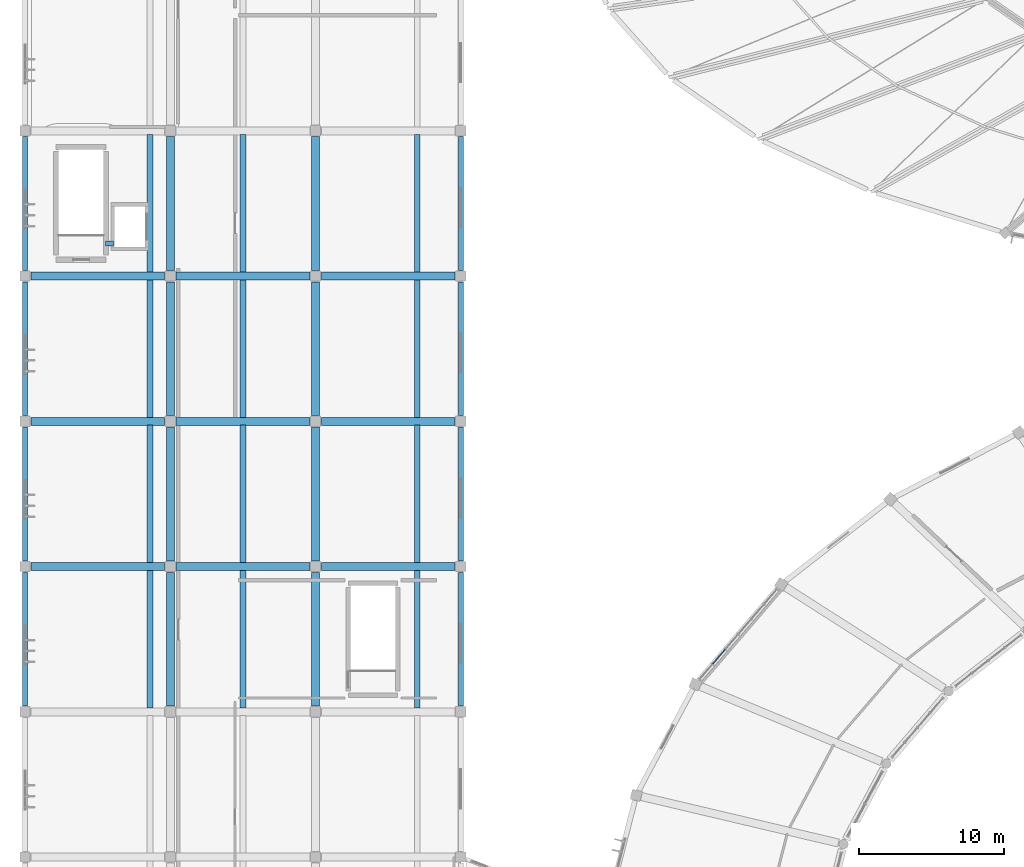
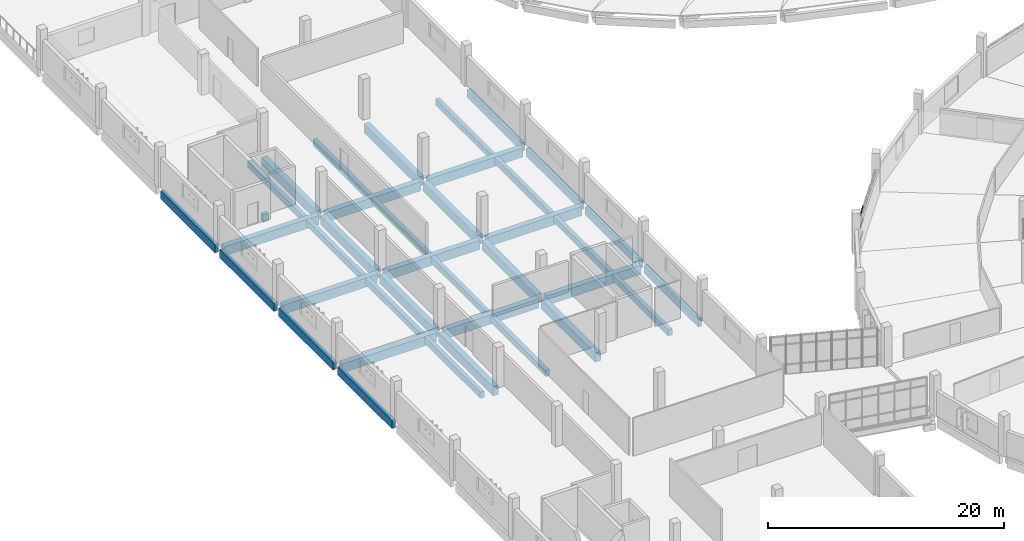
# One storey, part 22 of 142: 38 beams, 3 members, 1 element without a shape of its own.
"""IFC4 building model written with IfcOpenShell, lengths in metres."""

from ifc_helpers import new_model, si_unit, direction, frame, origin, origin_2d, place, context, subcontext, project, spatial, rectangle, extrude, material, layer, layer_set, material_profile, profile_set, type_object, element, aggregate, save


model = new_model("IFC4")

# Units and contexts
model_context = context("Model", 3, precision=1e-05, world=origin(), true_north=direction((0.0, 1.0)))
body_context = subcontext(model_context, "Body", "Model", "MODEL_VIEW")
ifc_project = project(units=[si_unit("LENGTHUNIT", "METRE"), si_unit("AREAUNIT", "SQUARE_METRE"), si_unit("VOLUMEUNIT", "CUBIC_METRE"), si_unit("PLANEANGLEUNIT", "RADIAN"), si_unit("MASSUNIT", "GRAM", prefix="KILO")], contexts=[model_context])

# Site, building, storey
site_placement = place(None, origin())
site = spatial("IfcSite", under=ifc_project, at=site_placement, CompositionType="ELEMENT")
building_placement = place(site_placement, origin())
building = spatial("IfcBuilding", under=site, at=building_placement, Name="Corvandel Quay Wholesale Market", CompositionType="ELEMENT")
storey_placement = place(building_placement, frame((0.0, 0.0, 10.800048828125)))
storey = spatial("IfcBuildingStorey", under=building, at=storey_placement, Name="L02", CompositionType="ELEMENT", Elevation=10.800048828125)

# Beams
ifc_material_1 = material(Name="Precast concrete C45/55", Category="concrete")
ifc_material_profile_1 = material_profile(ifc_material_1, rectangle(XDim=0.550048828125, YDim=0.949951171875, at=origin_2d()), Name="PC-GIR-550x950")
ifc_profile_set_1 = profile_set([ifc_material_profile_1], Name="Precast concrete C45/55")
beam_type_1 = type_object("IfcBeamType", Name="Cold Store Floor Girder G02 550x950", PredefinedType="USERDEFINED", material=ifc_profile_set_1)
for number, where, z_axis, x_axis, name in (
    (1, (20.39501953125, 70.0, -0.795166015625), (1.0, 0.0, 0.0), (0.0, 1.0, 0.0), "Beam BM-1167"),
    (2, (30.39501953125, 70.0, -0.795166015625), (1.0, 0.0, 0.0), (0.0, 1.0, 0.0), "Beam BM-1168"),
    (3, (40.39501953125, 70.0, -0.795166015625), (1.0, 0.0, 0.0), (0.0, 1.0, 0.0), "Beam BM-1169"),
    (4, (20.39501953125, 80.0, -0.795166015625), (1.0, 0.0, 0.0), (0.0, 1.0, 0.0), "Beam BM-1170"),
    (5, (30.39501953125, 80.0, -0.795166015625), (1.0, 0.0, 0.0), (0.0, 1.0, 0.0), "Beam BM-1171"),
    (6, (40.39501953125, 80.0, -0.795166015625), (1.0, 0.0, 0.0), (0.0, 1.0, 0.0), "Beam BM-1172"),
    (7, (20.39501953125, 90.0, -0.795166015625), (1.0, 0.0, 0.0), (0.0, 1.0, 0.0), "Beam BM-1173"),
    (8, (30.39501953125, 90.0, -0.795166015625), (1.0, 0.0, 0.0), (0.0, 1.0, 0.0), "Beam BM-1174"),
    (9, (40.39501953125, 90.0, -0.795166015625), (1.0, 0.0, 0.0), (0.0, 1.0, 0.0), "Beam BM-1175"),
    (10, (30.0, 60.39501953125, -0.795166015625), (0.0, 1.0, 0.0), (-1.0, 0.0, 0.0), "Beam BM-1209"),
    (11, (30.0, 70.39501953125, -0.795166015625), (0.0, 1.0, 0.0), (-1.0, 0.0, 0.0), "Beam BM-1210"),
    (12, (30.0, 80.39501953125, -0.795166015625), (0.0, 1.0, 0.0), (-1.0, 0.0, 0.0), "Beam BM-1211"),
    (13, (30.0, 90.39501953125, -0.795166015625), (0.0, 1.0, 0.0), (-1.0, 0.0, 0.0), "Beam BM-1212"),
    (14, (40.0, 60.39501953125, -0.795166015625), (0.0, 1.0, 0.0), (-1.0, 0.0, 0.0), "Beam BM-1222"),
    (15, (40.0, 70.39501953125, -0.795166015625), (0.0, 1.0, 0.0), (-1.0, 0.0, 0.0), "Beam BM-1223"),
    (16, (40.0, 80.39501953125, -0.795166015625), (0.0, 1.0, 0.0), (-1.0, 0.0, 0.0), "Beam BM-1224"),
    (17, (40.0, 90.39501953125, -0.795166015625), (0.0, 1.0, 0.0), (-1.0, 0.0, 0.0), "Beam BM-1225"),
):
    element("IfcBeam", number, at=place(storey_placement, frame(where, z_axis=z_axis, x_axis=x_axis)), inside=storey, type_object=beam_type_1, Name=name, ObjectType="GIRDER", PredefinedType="USERDEFINED", context=body_context, shape_type="SweptSolid", body=[
        extrude(rectangle(XDim=0.550048828125, YDim=0.949951171875, at=origin_2d()), origin(), (0.0, 0.0, 1.0), 9.2099609375),
    ])
ifc_material_profile_2 = material_profile(ifc_material_1, rectangle(XDim=0.39990234375, YDim=0.64990234375, at=origin_2d()), Name="PC-BM-400x650")
ifc_profile_set_2 = profile_set([ifc_material_profile_2], Name="Precast concrete C45/55")
beam_type_2 = type_object("IfcBeamType", Name="Cold Store Secondary Beam B01 400x650", PredefinedType="BEAM", material=ifc_profile_set_2)
for number, where, z_axis, x_axis, name in (
    (18, (28.60009765625, 60.264892578125, -0.64501953125), (0.0, 1.0, 0.0), (-1.0, 0.0, 0.0), "Beam BM-1248"),
    (19, (28.60009765625, 70.264892578125, -0.64501953125), (0.0, 1.0, 0.0), (-1.0, 0.0, 0.0), "Beam BM-1249"),
    (20, (28.60009765625, 80.264892578125, -0.64501953125), (0.0, 1.0, 0.0), (-1.0, 0.0, 0.0), "Beam BM-1250"),
    (21, (28.60009765625, 90.264892578125, -0.64501953125), (0.0, 1.0, 0.0), (-1.0, 0.0, 0.0), "Beam BM-1251"),
    (22, (35.0, 60.264892578125, -0.64501953125), (0.0, 1.0, 0.0), (-1.0, 0.0, 0.0), "Beam BM-1261"),
    (23, (35.0, 70.264892578125, -0.64501953125), (0.0, 1.0, 0.0), (-1.0, 0.0, 0.0), "Beam BM-1262"),
    (24, (35.0, 80.264892578125, -0.64501953125), (0.0, 1.0, 0.0), (-1.0, 0.0, 0.0), "Beam BM-1263"),
    (25, (35.0, 90.264892578125, -0.64501953125), (0.0, 1.0, 0.0), (-1.0, 0.0, 0.0), "Beam BM-1264"),
    (26, (47.0, 60.264892578125, -0.64501953125), (0.0, 1.0, 0.0), (-1.0, 0.0, 0.0), "Beam BM-1274"),
    (27, (47.0, 70.264892578125, -0.64501953125), (0.0, 1.0, 0.0), (-1.0, 0.0, 0.0), "Beam BM-1275"),
    (28, (47.0, 80.264892578125, -0.64501953125), (0.0, 1.0, 0.0), (-1.0, 0.0, 0.0), "Beam BM-1276"),
    (29, (47.0, 90.264892578125, -0.64501953125), (0.0, 1.0, 0.0), (-1.0, 0.0, 0.0), "Beam BM-1277"),
):
    element("IfcBeam", number, at=place(storey_placement, frame(where, z_axis=z_axis, x_axis=x_axis)), inside=storey, type_object=beam_type_2, Name=name, PredefinedType="BEAM", context=body_context, shape_type="SweptSolid", body=[
        extrude(rectangle(XDim=0.39990234375, YDim=0.64990234375, at=origin_2d()), origin(), (0.0, 0.0, 1.0), 9.47021484375),
    ])
ifc_material_2 = material(Name="Concrete C40/50", Category="concrete")
ifc_material_profile_3 = material_profile(ifc_material_2, rectangle(XDim=0.35009765625, YDim=0.800048828125, at=origin_2d()), Name="RC-CPL-350x800")
ifc_profile_set_3 = profile_set([ifc_material_profile_3], Name="Concrete C40/50")
beam_type_3 = type_object("IfcBeamType", Name="Core Shear Wall Coupling Beam CP01 350x800", PredefinedType="BEAM", material=ifc_profile_set_3)
beam_placement = place(storey_placement, frame((25.52490234375, 92.25, -0.650146484375), z_axis=(1.0, 0.0, 0.0), x_axis=(0.0, 1.0, 0.0)))
element("IfcBeam", 30, at=beam_placement, inside=storey, type_object=beam_type_3, Name="Core Coupling Beam K5-L02", PredefinedType="BEAM", context=body_context, shape_type="SweptSolid", body=[
    extrude(rectangle(XDim=0.35009765625, YDim=0.800048828125, at=origin_2d()), origin(), (0.0, 0.0, 1.0), 0.550048828125),
])

# Curtain wall, members
ifc_material_3 = material(Name="Bronze anodised aluminium and low-E insulated glazing", Category="aluminium")
ifc_layer = layer(ifc_material_3, 0.162109375)
ifc_layer_set = layer_set([ifc_layer], Name="Bronze anodised aluminium and low-E insulated glazing")
curtain_wall_type = type_object("IfcCurtainWallType", Name="Stick Curtain Wall System CW21 H4890", PredefinedType="NOTDEFINED", material=ifc_layer_set)
curtain_wall_placement = place(storey_placement, origin())
curtain_wall = element("IfcCurtainWall", 31, at=curtain_wall_placement, inside=storey, type_object=curtain_wall_type, Name="Curtain Wall CW-0037", PredefinedType="NOTDEFINED")
ifc_material_4 = material(Name="Anodised aluminium 6063-T6", Category="aluminium")
ifc_material_profile_4 = material_profile(ifc_material_4, rectangle(XDim=0.06005859375, YDim=0.110107421875, at=origin_2d()), Name="ALU-TRN-60x110")
ifc_profile_set_4 = profile_set([ifc_material_profile_4], Name="Anodised aluminium 6063-T6")
member_type = type_object("IfcMemberType", Name="Curtain Wall Transom TR02 60x110", PredefinedType="USERDEFINED", material=ifc_profile_set_4)
member_1_placement = place(storey_placement, frame((68.192138671875, 64.276123046875, 0.0), z_axis=(-0.651597471756, -0.758564917987, 0.0), x_axis=(0.758564917987, -0.651597471756, 0.0)))
member_1 = element("IfcMember", 32, at=member_1_placement, type_object=member_type, Name="Transom CW-0037-T04-0", ObjectType="TRANSOM", PredefinedType="USERDEFINED", context=body_context, shape_type="SweptSolid", body=[
    extrude(rectangle(XDim=0.06005859375, YDim=0.110107421875, at=origin_2d()), origin(), (0.0, 0.0, 1.0), 1.29638671875),
])
member_2_placement = place(storey_placement, frame((68.192138671875, 64.276123046875, 1.27490234375), z_axis=(-0.651597471756, -0.758564917987, 0.0), x_axis=(0.758564917987, -0.651597471756, 0.0)))
member_2 = element("IfcMember", 33, at=member_2_placement, type_object=member_type, Name="Transom CW-0037-T04-1", ObjectType="TRANSOM", PredefinedType="USERDEFINED", context=body_context, shape_type="SweptSolid", body=[
    extrude(rectangle(XDim=0.06005859375, YDim=0.110107421875, at=origin_2d()), origin(), (0.0, 0.0, 1.0), 1.29638671875),
])
member_3_placement = place(storey_placement, frame((68.192138671875, 64.276123046875, 2.550048828125), z_axis=(-0.651597471756, -0.758564917987, 0.0), x_axis=(0.758564917987, -0.651597471756, 0.0)))
member_3 = element("IfcMember", 34, at=member_3_placement, type_object=member_type, Name="Transom CW-0037-T04-2", ObjectType="TRANSOM", PredefinedType="USERDEFINED", context=body_context, shape_type="SweptSolid", body=[
    extrude(rectangle(XDim=0.06005859375, YDim=0.110107421875, at=origin_2d()), origin(), (0.0, 0.0, 1.0), 1.29638671875),
])
aggregate(curtain_wall, [member_1, member_2, member_3])

# Beams
ifc_material_profile_5 = material_profile(ifc_material_1, rectangle(XDim=0.35009765625, YDim=0.85009765625, at=origin_2d()), Name="PC-SPN-350x850")
ifc_profile_set_5 = profile_set([ifc_material_profile_5], Name="Precast concrete C45/55")
beam_type_4 = type_object("IfcBeamType", Name="Perimeter Precast Spandrel SP01 350x850", PredefinedType="SPANDREL", material=ifc_profile_set_5)
for number, where, z_axis, x_axis, name in (
    (35, (20.0, 60.39501953125, -0.7451171875), (0.0, 1.0, 0.0), (-1.0, 0.0, 0.0), "Beam BM-1196"),
    (36, (20.0, 70.39501953125, -0.7451171875), (0.0, 1.0, 0.0), (-1.0, 0.0, 0.0), "Beam BM-1197"),
    (37, (20.0, 80.39501953125, -0.7451171875), (0.0, 1.0, 0.0), (-1.0, 0.0, 0.0), "Beam BM-1198"),
    (38, (20.0, 90.39501953125, -0.7451171875), (0.0, 1.0, 0.0), (-1.0, 0.0, 0.0), "Beam BM-1199"),
    (39, (50.0, 60.39501953125, -0.7451171875), (0.0, 1.0, 0.0), (-1.0, 0.0, 0.0), "Beam BM-1235"),
    (40, (50.0, 70.39501953125, -0.7451171875), (0.0, 1.0, 0.0), (-1.0, 0.0, 0.0), "Beam BM-1236"),
    (41, (50.0, 80.39501953125, -0.7451171875), (0.0, 1.0, 0.0), (-1.0, 0.0, 0.0), "Beam BM-1237"),
    (42, (50.0, 90.39501953125, -0.7451171875), (0.0, 1.0, 0.0), (-1.0, 0.0, 0.0), "Beam BM-1238"),
):
    element("IfcBeam", number, at=place(storey_placement, frame(where, z_axis=z_axis, x_axis=x_axis)), inside=storey, type_object=beam_type_4, Name=name, PredefinedType="SPANDREL", context=body_context, shape_type="SweptSolid", body=[
        extrude(rectangle(XDim=0.35009765625, YDim=0.85009765625, at=origin_2d()), origin(), (0.0, 0.0, 1.0), 9.2099609375),
    ])

save(model, "model.ifc")
